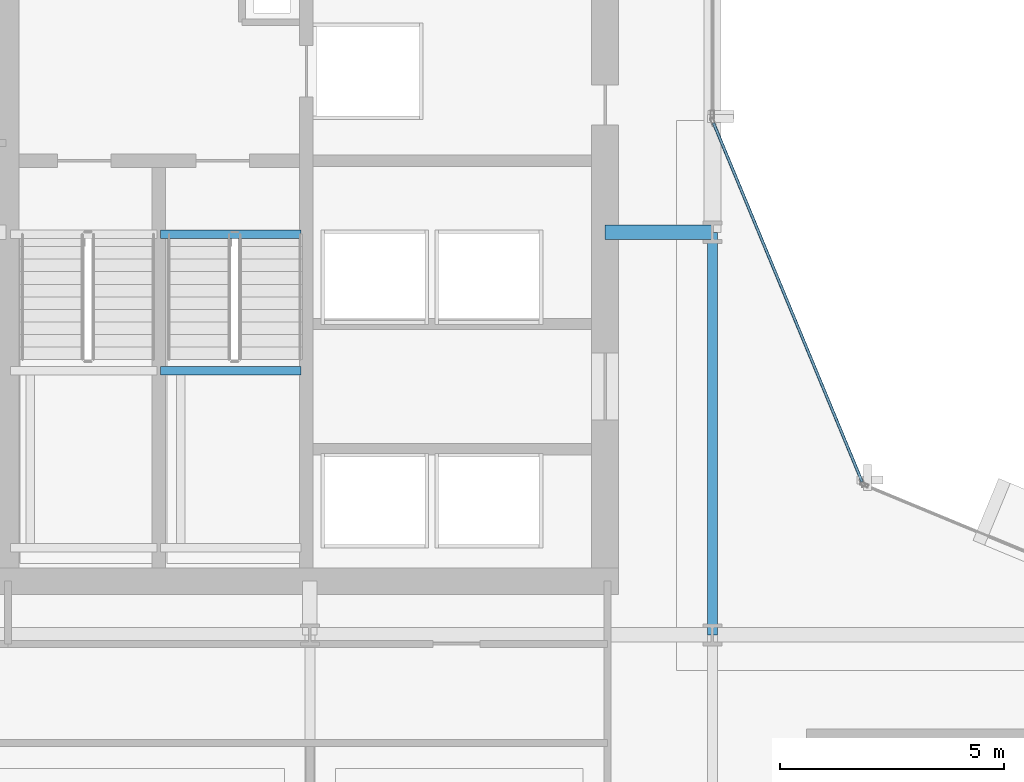
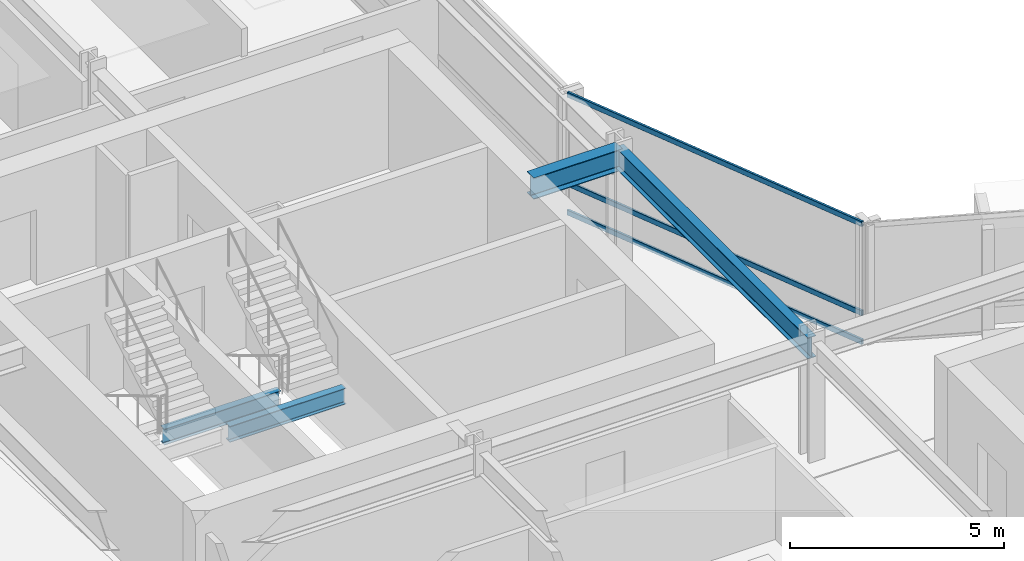
# One storey, part 20 of 34: 4 beams, 3 members, 1 element without a shape of its own.
"""IFC4 building model written with IfcOpenShell, lengths in metres."""

from ifc_helpers import new_model, si_unit, direction, frame, origin, origin_2d, place, context, subcontext, project, spatial, hollow_rectangle, i_section, extrude, material, layer, layer_set, material_profile, profile_set, type_object, element, aggregate, save


model = new_model("IFC4")

# Units and contexts
model_context = context("Model", 3, precision=1e-05, world=origin(), true_north=direction((0.0, 1.0)))
body_context = subcontext(model_context, "Body", "Model", "MODEL_VIEW")
ifc_project = project(units=[si_unit("LENGTHUNIT", "METRE"), si_unit("AREAUNIT", "SQUARE_METRE"), si_unit("VOLUMEUNIT", "CUBIC_METRE"), si_unit("PLANEANGLEUNIT", "RADIAN"), si_unit("MASSUNIT", "GRAM", prefix="KILO")], contexts=[model_context])

# Site, building, storey
site_placement = place(None, origin())
site = spatial("IfcSite", under=ifc_project, at=site_placement, CompositionType="ELEMENT")
building_placement = place(site_placement, origin())
building = spatial("IfcBuilding", under=site, at=building_placement, Name="Solvaryn Broadcast Tower", CompositionType="ELEMENT")
storey_placement = place(building_placement, frame((0.0, 0.0, 58.199951171875)))
storey = spatial("IfcBuildingStorey", under=building, at=storey_placement, Name="L13", CompositionType="ELEMENT", Elevation=58.199951171875)

# Beams
ifc_material_1 = material(Name="Steel ASTM A992 Grade 50", Category="steel")
ifc_material_profile_1 = material_profile(ifc_material_1, i_section(OverallWidth=0.323974609375, OverallDepth=0.611083984375, WebThickness=0.0126953125, FlangeThickness=0.01904296875, FilletRadius=0.014892578125, at=origin_2d()))
ifc_profile_set_1 = profile_set([ifc_material_profile_1], Name="Steel ASTM A992 Grade 50")
beam_type_1 = type_object("IfcBeamType", Name="BM-B1-W24X104", PredefinedType="BEAM", material=ifc_profile_set_1)
beam_1_placement = place(storey_placement, frame((24.60009765625, 36.0, 3.114501953125), z_axis=(1.0, 0.0, 0.0), x_axis=(0.0, 1.0, 0.0)))
element("IfcBeam", 1, at=beam_1_placement, inside=storey, type_object=beam_type_1, Name="L13 Core Tie Beam CTW2", PredefinedType="BEAM", context=body_context, shape_type="SweptSolid", body=[
    extrude(i_section(OverallWidth=0.323974609375, OverallDepth=0.611083984375, WebThickness=0.0126953125, FlangeThickness=0.01904296875, FilletRadius=0.014892578125, at=origin_2d()), origin(), (0.0, 0.0, 1.0), 2.39990234375),
])
ifc_material_2 = material(Name="Steel ASTM A992 Grade 50", Category="steel")
ifc_material_profile_2 = material_profile(ifc_material_2, i_section(OverallWidth=0.22802734375, OverallDepth=0.60791015625, WebThickness=0.01123046875, FlangeThickness=0.017333984375, FilletRadius=0.014892578125, at=origin_2d()))
ifc_profile_set_2 = profile_set([ifc_material_profile_2], Name="Steel ASTM A992 Grade 50")
beam_type_2 = type_object("IfcBeamType", Name="BM-B2-W24X76", PredefinedType="BEAM", material=ifc_profile_set_2)
beam_2_placement = place(storey_placement, frame((27.0, 27.0, 3.115966796875), z_axis=(0.0, 1.0, 0.0), x_axis=(-1.0, 0.0, 0.0)))
element("IfcBeam", 2, at=beam_2_placement, inside=storey, type_object=beam_type_2, Name="L13 Primary Beam Y (27-36 @ X=27)", PredefinedType="BEAM", context=body_context, shape_type="SweptSolid", body=[
    extrude(i_section(OverallWidth=0.22802734375, OverallDepth=0.60791015625, WebThickness=0.01123046875, FlangeThickness=0.017333984375, FilletRadius=0.014892578125, at=origin_2d()), origin(), (0.0, 0.0, 1.0), 9.0),
])
ifc_material_3 = material(Name="Steel ASTM A992 Grade 50", Category="steel")
ifc_material_profile_3 = material_profile(ifc_material_3, i_section(OverallWidth=0.18994140625, OverallDepth=0.45703125, WebThickness=0.009033203125, FlangeThickness=0.014404296875, FilletRadius=0.011962890625, at=origin_2d()))
ifc_profile_set_3 = profile_set([ifc_material_profile_3], Name="Steel ASTM A992 Grade 50")
beam_type_3 = type_object("IfcBeamType", Name="BM-B4-W18X50", PredefinedType="BEAM", material=ifc_profile_set_3)
for number, where, z_axis, x_axis, name in (
    (3, (14.659912109375, 35.9599609375, -0.508544921875), (1.0, 0.0, 0.0), (0.0, 1.0, 0.0), "L13 ST2 Stair Well Trimmer Beam"),
    (4, (14.659912109375, 32.909912109375, 1.421630859375), (1.0, 0.0, 0.0), (0.0, 1.0, 0.0), "L13 ST2 Landing Support Beam 1B"),
):
    element("IfcBeam", number, at=place(storey_placement, frame(where, z_axis=z_axis, x_axis=x_axis)), inside=storey, type_object=beam_type_3, Name=name, PredefinedType="BEAM", context=body_context, shape_type="SweptSolid", body=[
        extrude(i_section(OverallWidth=0.18994140625, OverallDepth=0.45703125, WebThickness=0.009033203125, FlangeThickness=0.014404296875, FilletRadius=0.011962890625, at=origin_2d()), origin(), (0.0, 0.0, 1.0), 3.14013671875),
    ])

# Curtain wall, members
ifc_material_4 = material(Name="Aluminium and Terracotta Unitised Curtain Wall", Category="masonry")
ifc_layer = layer(ifc_material_4, 0.199951171875)
ifc_layer_set = layer_set([ifc_layer], Name="CW-SYS2-LOWMID")
curtain_wall_type = type_object("IfcCurtainWallType", Name="CW-SYS2-LOWMID", PredefinedType="NOTDEFINED", material=ifc_layer_set)
curtain_wall_placement = place(storey_placement, origin())
curtain_wall = element("IfcCurtainWall", 5, at=curtain_wall_placement, inside=storey, type_object=curtain_wall_type, Name="L13 Curtain Wall CN2", PredefinedType="NOTDEFINED")
ifc_material_5 = material(Name="Anodised Aluminium 6063-T6", Category="aluminium")
ifc_material_profile_4 = material_profile(ifc_material_5, hollow_rectangle(XDim=0.06494140625, YDim=0.14990234375, WallThickness=0.00390625, InnerFilletRadius=0.00390625, OuterFilletRadius=0.008056640625, at=origin_2d()))
ifc_profile_set_4 = profile_set([ifc_material_profile_4], Name="Anodised Aluminium 6063-T6")
member_type = type_object("IfcMemberType", Name="CW-TRN-150", PredefinedType="USERDEFINED", material=ifc_profile_set_4)
member_1_placement = place(storey_placement, frame((30.344970703125, 30.42333984375, 0.030029296875), z_axis=(-0.382635748975, 0.923899282177, 0.0), x_axis=(-0.923899282177, -0.382635748975, 0.0)))
member_1 = element("IfcMember", 6, at=member_1_placement, type_object=member_type, Name="CWS2 transom 1.1", ObjectType="TRANSOM", PredefinedType="USERDEFINED", context=body_context, shape_type="SweptSolid", body=[
    extrude(hollow_rectangle(XDim=0.06494140625, YDim=0.14990234375, WallThickness=0.00390625, InnerFilletRadius=0.00390625, OuterFilletRadius=0.008056640625, at=origin_2d()), origin(), (0.0, 0.0, 1.0), 8.681884765625),
])
member_2_placement = place(storey_placement, frame((30.344970703125, 30.42333984375, 0.85009765625), z_axis=(-0.382635748975, 0.923899282177, 0.0), x_axis=(-0.923899282177, -0.382635748975, 0.0)))
member_2 = element("IfcMember", 7, at=member_2_placement, type_object=member_type, Name="CWS2 transom 1.2", ObjectType="TRANSOM", PredefinedType="USERDEFINED", context=body_context, shape_type="SweptSolid", body=[
    extrude(hollow_rectangle(XDim=0.06494140625, YDim=0.14990234375, WallThickness=0.00390625, InnerFilletRadius=0.00390625, OuterFilletRadius=0.008056640625, at=origin_2d()), origin(), (0.0, 0.0, 1.0), 8.681884765625),
])
member_3_placement = place(storey_placement, frame((30.344970703125, 30.42333984375, 3.39013671875), z_axis=(-0.382635748975, 0.923899282177, 0.0), x_axis=(-0.923899282177, -0.382635748975, 0.0)))
member_3 = element("IfcMember", 8, at=member_3_placement, type_object=member_type, Name="CWS2 transom 1.3", ObjectType="TRANSOM", PredefinedType="USERDEFINED", context=body_context, shape_type="SweptSolid", body=[
    extrude(hollow_rectangle(XDim=0.06494140625, YDim=0.14990234375, WallThickness=0.00390625, InnerFilletRadius=0.00390625, OuterFilletRadius=0.008056640625, at=origin_2d()), origin(), (0.0, 0.0, 1.0), 8.681884765625),
])
aggregate(curtain_wall, [member_1, member_2, member_3])

save(model, "model.ifc")
